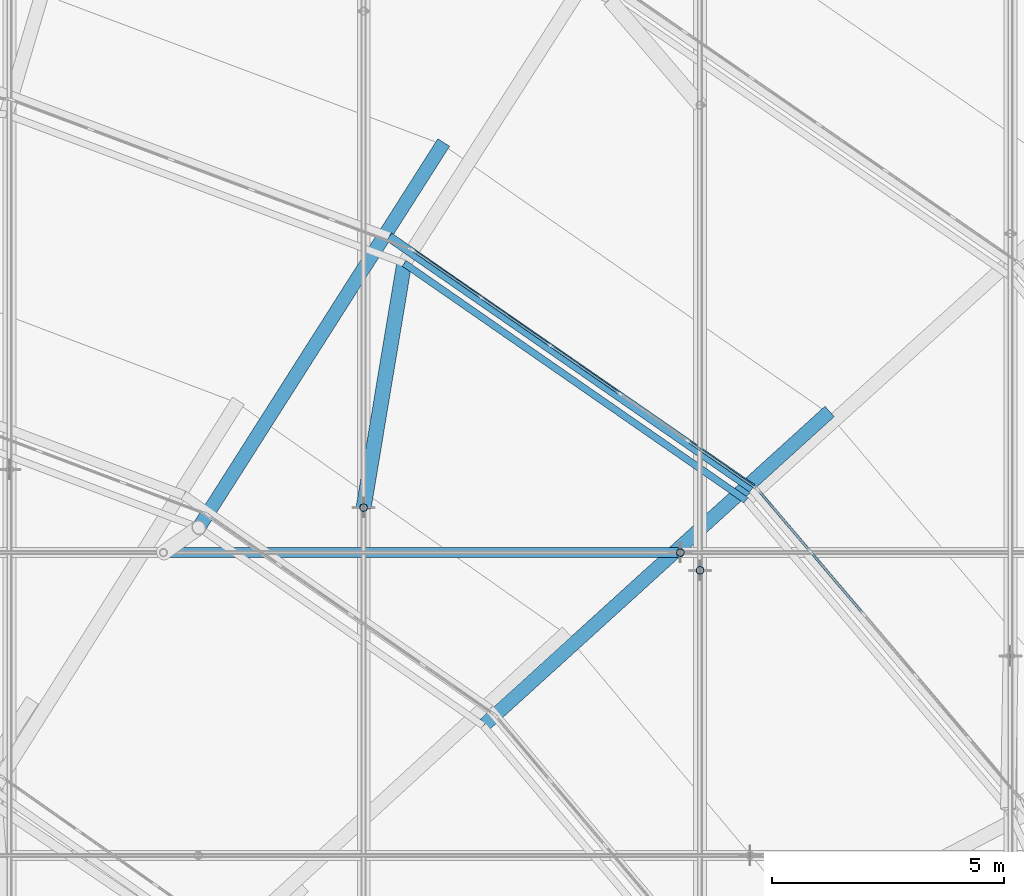
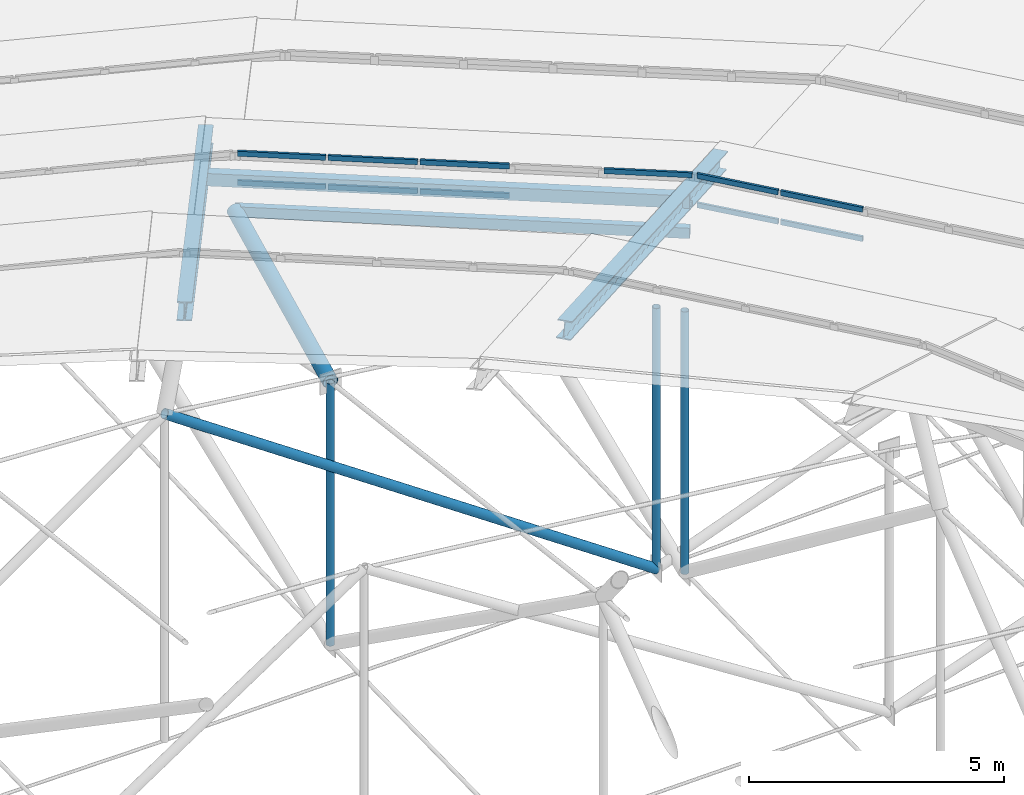
# One storey, part 117 of 173: 21 members, 2 elements without a shape of their own.
"""IFC4 building model written with IfcOpenShell, lengths in metres."""

from ifc_helpers import new_model, si_unit, direction, frame, origin, origin_2d, place, context, subcontext, project, spatial, rectangle, hollow_rectangle, hollow_circle, i_section, extrude, material, material_profile, profile_set, type_object, element, aggregate, save


model = new_model("IFC4")

# Units and contexts
model_context = context("Model", 3, precision=1e-05, world=origin(), true_north=direction((0.0, 1.0)))
body_context = subcontext(model_context, "Body", "Model", "MODEL_VIEW")
ifc_project = project(units=[si_unit("LENGTHUNIT", "METRE"), si_unit("AREAUNIT", "SQUARE_METRE"), si_unit("VOLUMEUNIT", "CUBIC_METRE"), si_unit("PLANEANGLEUNIT", "RADIAN"), si_unit("MASSUNIT", "GRAM", prefix="KILO")], contexts=[model_context])

# Site, building, storey
site_placement = place(None, origin())
site = spatial("IfcSite", under=ifc_project, at=site_placement, CompositionType="ELEMENT")
building_placement = place(site_placement, origin())
building = spatial("IfcBuilding", under=site, at=building_placement, Name="Glasvene Arena", CompositionType="ELEMENT")
storey_placement = place(building_placement, frame((0.0, 0.0, 28.800048828125)))
storey = spatial("IfcBuildingStorey", under=building, at=storey_placement, Name="RF", CompositionType="ELEMENT", Elevation=28.800048828125)

# Curtain wall, members
ifc_material_1 = material(Name="Low-emissivity laminated double glazing", Category="glass")
curtain_wall_type_1 = type_object("IfcCurtainWallType", Name="CW-PET2-882x75", PredefinedType="USERDEFINED", material=ifc_material_1)
curtain_wall_1_placement = place(storey_placement, frame((121.640380859375, 88.074951171875, 0.0)))
curtain_wall_1 = element("IfcCurtainWall", 1, at=curtain_wall_1_placement, inside=storey, type_object=curtain_wall_type_1, Name="Petal ring 2-3 clerestory curtain wall 03", ObjectType="CURTAIN WALL", PredefinedType="USERDEFINED")
ifc_material_2 = material(Name="Anodised architectural aluminium", Category="aluminium")
ifc_material_profile_1 = material_profile(ifc_material_2, rectangle(XDim=0.050048828125, YDim=0.1201171875, at=origin_2d()), Name="ALU TRANSOM 50x120")
ifc_profile_set_1 = profile_set([ifc_material_profile_1], Name="Anodised architectural aluminium")
member_type_1 = type_object("IfcMemberType", Name="CW-TRN-120", PredefinedType="USERDEFINED", material=ifc_profile_set_1)
member_1_placement = place(storey_placement, frame((118.200927734375, 92.12646484375, 5.204833984375), z_axis=(-0.647180817857, 0.76233653264, 0.0), x_axis=(-0.76233653264, -0.647180817857, 0.0)))
member_1 = element("IfcMember", 2, at=member_1_placement, type_object=member_type_1, Name="CW-089 transom 4.1", ObjectType="TRANSOM", PredefinedType="USERDEFINED", context=body_context, shape_type="SweptSolid", body=[
    extrude(rectangle(XDim=0.050048828125, YDim=0.1201171875, at=origin_2d()), origin(), (0.0, 0.0, 1.0), 1.713134765625),
])
member_2_placement = place(storey_placement, frame((118.200927734375, 92.12646484375, 5.905029296875), z_axis=(-0.647180817857, 0.76233653264, 0.0), x_axis=(-0.76233653264, -0.647180817857, 0.0)))
member_2 = element("IfcMember", 3, at=member_2_placement, type_object=member_type_1, Name="CW-089 transom 4.2", ObjectType="TRANSOM", PredefinedType="USERDEFINED", context=body_context, shape_type="SweptSolid", body=[
    extrude(rectangle(XDim=0.050048828125, YDim=0.1201171875, at=origin_2d()), origin(), (0.0, 0.0, 1.0), 1.713134765625),
])
member_3_placement = place(storey_placement, frame((117.06005859375, 93.470458984375, 5.204833984375), z_axis=(-0.647127758529, 0.762381573847, 0.0), x_axis=(-0.762381573847, -0.647127758529, 0.0)))
member_3 = element("IfcMember", 4, at=member_3_placement, type_object=member_type_1, Name="CW-089 transom 5.1", ObjectType="TRANSOM", PredefinedType="USERDEFINED", context=body_context, shape_type="SweptSolid", body=[
    extrude(rectangle(XDim=0.050048828125, YDim=0.1201171875, at=origin_2d()), origin(), (0.0, 0.0, 1.0), 1.688232421875),
])
member_4_placement = place(storey_placement, frame((117.06005859375, 93.470458984375, 5.905029296875), z_axis=(-0.647127758529, 0.762381573847, 0.0), x_axis=(-0.762381573847, -0.647127758529, 0.0)))
member_4 = element("IfcMember", 5, at=member_4_placement, type_object=member_type_1, Name="CW-089 transom 5.2", ObjectType="TRANSOM", PredefinedType="USERDEFINED", context=body_context, shape_type="SweptSolid", body=[
    extrude(rectangle(XDim=0.050048828125, YDim=0.1201171875, at=origin_2d()), origin(), (0.0, 0.0, 1.0), 1.688232421875),
])
aggregate(curtain_wall_1, [member_1, member_2, member_3, member_4])

curtain_wall_type_2 = type_object("IfcCurtainWallType", Name="CW-PET2-905x75", PredefinedType="USERDEFINED", material=ifc_material_1)
curtain_wall_2_placement = place(storey_placement, frame((115.93505859375, 94.795654296875, 0.0)))
curtain_wall_2 = element("IfcCurtainWall", 6, at=curtain_wall_2_placement, inside=storey, type_object=curtain_wall_type_2, Name="Petal ring 2-3 clerestory curtain wall 04", ObjectType="CURTAIN WALL", PredefinedType="USERDEFINED")
member_5_placement = place(storey_placement, frame((115.89404296875, 94.823974609375, 5.204833984375), z_axis=(-0.821690330378, 0.569934207575, 0.0), x_axis=(-0.569934207575, -0.821690330378, 0.0)))
member_5 = element("IfcMember", 7, at=member_5_placement, type_object=member_type_1, Name="CW-090 transom 1.1", ObjectType="TRANSOM", PredefinedType="USERDEFINED", context=body_context, shape_type="SweptSolid", body=[
    extrude(rectangle(XDim=0.050048828125, YDim=0.1201171875, at=origin_2d()), origin(), (0.0, 0.0, 1.0), 1.73486328125),
])
member_6_placement = place(storey_placement, frame((115.89404296875, 94.823974609375, 5.905029296875), z_axis=(-0.821690330378, 0.569934207575, 0.0), x_axis=(-0.569934207575, -0.821690330378, 0.0)))
member_6 = element("IfcMember", 8, at=member_6_placement, type_object=member_type_1, Name="CW-090 transom 1.2", ObjectType="TRANSOM", PredefinedType="USERDEFINED", context=body_context, shape_type="SweptSolid", body=[
    extrude(rectangle(XDim=0.050048828125, YDim=0.1201171875, at=origin_2d()), origin(), (0.0, 0.0, 1.0), 1.73486328125),
])
member_7_placement = place(storey_placement, frame((112.9404296875, 96.87255859375, 5.204833984375), z_axis=(-0.821662375705, 0.56997450851, 0.0), x_axis=(-0.56997450851, -0.821662375705, 0.0)))
member_7 = element("IfcMember", 9, at=member_7_placement, type_object=member_type_1, Name="CW-090 transom 3.1", ObjectType="TRANSOM", PredefinedType="USERDEFINED", context=body_context, shape_type="SweptSolid", body=[
    extrude(rectangle(XDim=0.050048828125, YDim=0.1201171875, at=origin_2d()), origin(), (0.0, 0.0, 1.0), 1.759521484375),
])
member_8_placement = place(storey_placement, frame((112.9404296875, 96.87255859375, 5.905029296875), z_axis=(-0.821662375705, 0.56997450851, 0.0), x_axis=(-0.56997450851, -0.821662375705, 0.0)))
member_8 = element("IfcMember", 10, at=member_8_placement, type_object=member_type_1, Name="CW-090 transom 3.2", ObjectType="TRANSOM", PredefinedType="USERDEFINED", context=body_context, shape_type="SweptSolid", body=[
    extrude(rectangle(XDim=0.050048828125, YDim=0.1201171875, at=origin_2d()), origin(), (0.0, 0.0, 1.0), 1.759521484375),
])
member_9_placement = place(storey_placement, frame((111.45361328125, 97.904052734375, 5.204833984375), z_axis=(-0.821707443011, 0.569909535014, 0.0), x_axis=(-0.569909535014, -0.821707443011, 0.0)))
member_9 = element("IfcMember", 11, at=member_9_placement, type_object=member_type_1, Name="CW-090 transom 4.1", ObjectType="TRANSOM", PredefinedType="USERDEFINED", context=body_context, shape_type="SweptSolid", body=[
    extrude(rectangle(XDim=0.050048828125, YDim=0.1201171875, at=origin_2d()), origin(), (0.0, 0.0, 1.0), 1.759765625),
])
member_10_placement = place(storey_placement, frame((111.45361328125, 97.904052734375, 5.905029296875), z_axis=(-0.821707443011, 0.569909535014, 0.0), x_axis=(-0.569909535014, -0.821707443011, 0.0)))
member_10 = element("IfcMember", 12, at=member_10_placement, type_object=member_type_1, Name="CW-090 transom 4.2", ObjectType="TRANSOM", PredefinedType="USERDEFINED", context=body_context, shape_type="SweptSolid", body=[
    extrude(rectangle(XDim=0.050048828125, YDim=0.1201171875, at=origin_2d()), origin(), (0.0, 0.0, 1.0), 1.759765625),
])
member_11_placement = place(storey_placement, frame((109.966552734375, 98.935302734375, 5.204833984375), z_axis=(-0.821690330378, 0.569934207575, 0.0), x_axis=(-0.569934207575, -0.821690330378, 0.0)))
member_11 = element("IfcMember", 13, at=member_11_placement, type_object=member_type_1, Name="CW-090 transom 5.1", ObjectType="TRANSOM", PredefinedType="USERDEFINED", context=body_context, shape_type="SweptSolid", body=[
    extrude(rectangle(XDim=0.050048828125, YDim=0.1201171875, at=origin_2d()), origin(), (0.0, 0.0, 1.0), 1.73486328125),
])
member_12_placement = place(storey_placement, frame((109.966552734375, 98.935302734375, 5.905029296875), z_axis=(-0.821690330378, 0.569934207575, 0.0), x_axis=(-0.569934207575, -0.821690330378, 0.0)))
member_12 = element("IfcMember", 14, at=member_12_placement, type_object=member_type_1, Name="CW-090 transom 5.2", ObjectType="TRANSOM", PredefinedType="USERDEFINED", context=body_context, shape_type="SweptSolid", body=[
    extrude(rectangle(XDim=0.050048828125, YDim=0.1201171875, at=origin_2d()), origin(), (0.0, 0.0, 1.0), 1.73486328125),
])
aggregate(curtain_wall_2, [member_5, member_6, member_7, member_8, member_9, member_10, member_11, member_12])

# Members
ifc_material_3 = material(Name="Steel S355J2", Category="steel")
ifc_material_profile_2 = material_profile(ifc_material_3, i_section(OverallWidth=0.300048828125, OverallDepth=0.39990234375, WebThickness=0.013427734375, FlangeThickness=0.02392578125, FilletRadius=0.027099609375, at=origin_2d()), Name="HEB 400")
ifc_profile_set_2 = profile_set([ifc_material_profile_2], Name="Steel S355J2")
member_type_2 = type_object("IfcMemberType", Name="MB-CHORD-HEB400", PredefinedType="CHORD", material=ifc_profile_set_2)
member_13_placement = place(storey_placement, frame((117.455078125, 96.438720703125, 4.75), z_axis=(-0.716741157573, -0.650607992332, 0.250980782841), x_axis=(0.672121201011, -0.740441146312, 0.0)))
element("IfcMember", 15, at=member_13_placement, inside=storey, type_object=member_type_2, Name="Petal ring 3 radial rib 04", PredefinedType="CHORD", context=body_context, shape_type="SweptSolid", body=[
    extrude(i_section(OverallWidth=0.300048828125, OverallDepth=0.39990234375, WebThickness=0.013427734375, FlangeThickness=0.02392578125, FilletRadius=0.027099609375, at=origin_2d()), origin(), (0.0, 0.0, 1.0), 10.35888671875),
])
member_14_placement = place(storey_placement, frame((109.14990234375, 102.223388671875, 4.75), z_axis=(-0.518667431982, -0.815482974112, 0.256849399329), x_axis=(0.843790945182, -0.536672004886, 0.0)))
element("IfcMember", 16, at=member_14_placement, inside=storey, type_object=member_type_2, Name="Petal ring 3 radial rib 05", PredefinedType="CHORD", context=body_context, shape_type="SweptSolid", body=[
    extrude(i_section(OverallWidth=0.300048828125, OverallDepth=0.39990234375, WebThickness=0.013427734375, FlangeThickness=0.02392578125, FilletRadius=0.027099609375, at=origin_2d()), origin(), (0.0, 0.0, 1.0), 10.1220703125),
])
ifc_material_profile_3 = material_profile(ifc_material_3, hollow_circle(Radius=0.161865234375, WallThickness=0.01611328125, at=origin_2d()), Name="CHS 323.9x16.0")
ifc_profile_set_3 = profile_set([ifc_material_profile_3], Name="Steel S355J2")
member_type_3 = type_object("IfcMemberType", Name="MB-POST-CHS324", PredefinedType="BRACE", material=ifc_profile_set_3)
member_15_placement = place(storey_placement, frame((107.45068359375, 94.398681640625, 4.1669921875), z_axis=(0.162779554236, 0.979995646402, 0.114504802323), x_axis=(-0.986484053244, 0.16385729369, 0.0)))
element("IfcMember", 17, at=member_15_placement, inside=storey, type_object=member_type_3, Name="Petal ring 2 ridge support post 05", PredefinedType="BRACE", context=body_context, shape_type="SweptSolid", body=[
    extrude(hollow_circle(Radius=0.161865234375, WallThickness=0.01611328125, at=origin_2d()), origin(), (0.0, 0.0, 1.0), 5.370849609375),
])
ifc_material_profile_4 = material_profile(ifc_material_3, hollow_rectangle(XDim=0.14990234375, YDim=0.25, WallThickness=0.010009765625, at=origin_2d()), Name="RHS 250x150x10.0")
ifc_profile_set_4 = profile_set([ifc_material_profile_4], Name="Steel S355J2")
member_type_4 = type_object("IfcMemberType", Name="MB-PURLIN-RHS250", PredefinedType="PURLIN", material=ifc_profile_set_4)
member_16_placement = place(storey_placement, frame((115.687744140625, 94.55859375, 4.781982421875), z_axis=(-0.82186830391, 0.569677532493, 0.0), x_axis=(-0.569677532493, -0.82186830391, 0.0)))
element("IfcMember", 18, at=member_16_placement, inside=storey, type_object=member_type_4, Name="Petal ring 2 ridge purlin 04", PredefinedType="PURLIN", context=body_context, shape_type="SweptSolid", body=[
    extrude(hollow_rectangle(XDim=0.14990234375, YDim=0.25, WallThickness=0.010009765625, at=origin_2d()), origin(), (0.0, 0.0, 1.0), 8.95849609375),
])
ifc_material_profile_5 = material_profile(ifc_material_3, hollow_rectangle(XDim=0.199951171875, YDim=0.300048828125, WallThickness=0.012451171875, at=origin_2d()), Name="RHS 300x200x12.5")
ifc_profile_set_5 = profile_set([ifc_material_profile_5], Name="Steel S355J2")
member_type_5 = type_object("IfcMemberType", Name="MB-PURLIN-RHS300", PredefinedType="PURLIN", material=ifc_profile_set_5)
member_17_placement = place(storey_placement, frame((115.82861328125, 94.812255859375, 5.33935546875), z_axis=(-0.822222652654, 0.569165977077, 0.0), x_axis=(-0.569165977077, -0.822222652654, 0.0)))
element("IfcMember", 19, at=member_17_placement, inside=storey, type_object=member_type_5, Name="Petal ring 3 outer purlin 04", PredefinedType="PURLIN", context=body_context, shape_type="SweptSolid", body=[
    extrude(hollow_rectangle(XDim=0.199951171875, YDim=0.300048828125, WallThickness=0.012451171875, at=origin_2d()), origin(), (0.0, 0.0, 1.0), 9.521240234375),
])
ifc_material_profile_6 = material_profile(ifc_material_3, hollow_circle(Radius=0.084228515625, WallThickness=0.008056640625, at=origin_2d()), Name="CHS 168.3x8.0")
ifc_profile_set_6 = profile_set([ifc_material_profile_6], Name="Steel S355J2")
member_type_6 = type_object("IfcMemberType", Name="MB-WEB-CHS168", PredefinedType="BRACE", material=ifc_profile_set_6)
for number, where, z_axis, x_axis, name in (
    (20, (114.699462890625, 93.047607421875, -2.112548828125), (0.0, 0.0, 1.0), (1.0, 0.0, 0.0), "Cable-truss vertical strut NS02-06"),
    (21, (107.45068359375, 94.398681640625, -2.112548828125), (0.0, 0.0, 1.0), (1.0, 0.0, 0.0), "Cable-truss vertical strut NS03-06"),
    (22, (114.275146484375, 93.4296875, -2.112548828125), (0.0, 0.0, 1.0), (1.0, 0.0, 0.0), "Cable-truss vertical strut EW07-06"),
):
    element("IfcMember", number, at=place(storey_placement, frame(where, z_axis=z_axis, x_axis=x_axis)), inside=storey, type_object=member_type_6, Name=name, PredefinedType="BRACE", context=body_context, shape_type="SweptSolid", body=[
        extrude(hollow_circle(Radius=0.084228515625, WallThickness=0.008056640625, at=origin_2d()), origin(), (0.0, 0.0, 1.0), 6.279541015625),
    ])
ifc_material_profile_7 = material_profile(ifc_material_3, hollow_circle(Radius=0.109619140625, WallThickness=0.010009765625, at=origin_2d()), Name="CHS 219.1x10.0")
ifc_profile_set_7 = profile_set([ifc_material_profile_7], Name="Steel S355J2")
member_type_7 = type_object("IfcMemberType", Name="MB-WEB-CHS219", PredefinedType="BRACE", material=ifc_profile_set_7)
member_18_placement = place(storey_placement, frame((103.1376953125, 93.4296875, 5.499267578125), z_axis=(0.825602347072, 0.0, -0.564252394332), x_axis=(0.0, 1.0, 0.0)))
element("IfcMember", 23, at=member_18_placement, inside=storey, type_object=member_type_7, Name="Cable-truss diagonal web strut EW07-06", PredefinedType="BRACE", context=body_context, shape_type="SweptSolid", body=[
    extrude(hollow_circle(Radius=0.109619140625, WallThickness=0.010009765625, at=origin_2d()), origin(), (0.0, 0.0, 1.0), 13.489990234375),
])

save(model, "model.ifc")
